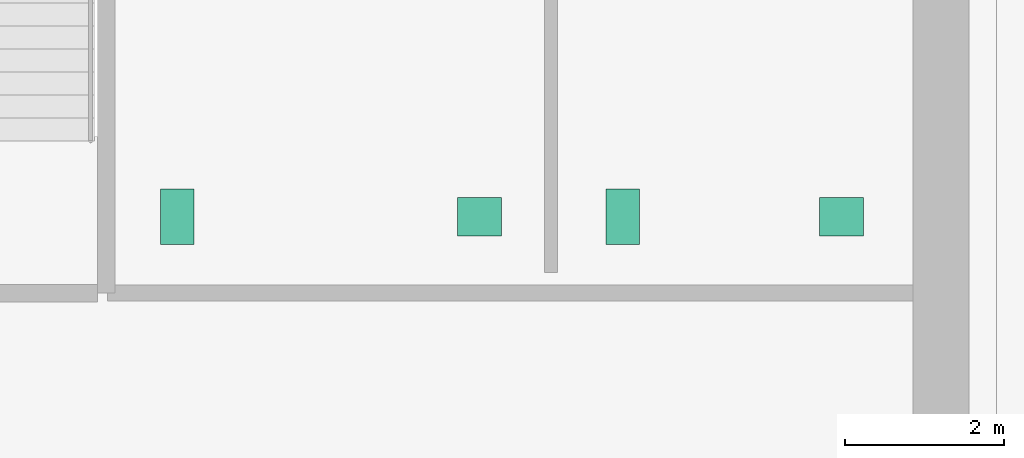
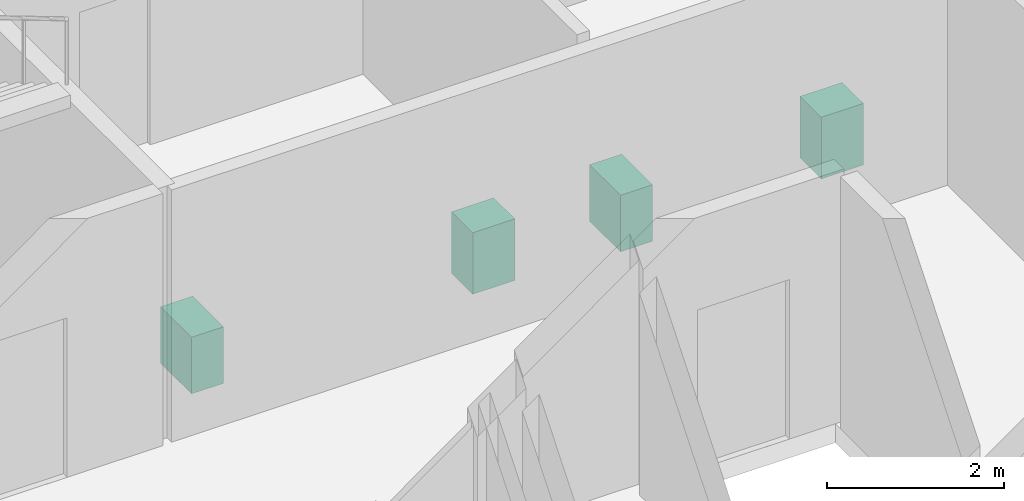
# One storey, part 13 of 13: 4 sanitary terminals.
"""IFC4 building model written with IfcOpenShell, lengths in metres."""

import ifcopenshell
import ifcopenshell.guid

model = None  # the IFC model being written
_history = None  # IfcOwnerHistory: only IFC2X3 demands one
_inside = {}  # id of a spatial element -> (the spatial element, [elements in it])
_under = {}  # id of a project, library or spatial element -> (it, [spatial elements below it])
_declared = {}  # id of a project -> (the project, [libraries it declares])
_typed = {}  # id of a type object -> (the type object, [elements of that type])
_made_of = {}  # id of a material, layer set ... -> (it, [elements and type objects made of it])


def new_model(schema):
    """Start an empty IFC model of exactly this schema.

    Asked for "IFC4X3", IfcOpenShell would pick the latest addendum, in which some entities
    have other attributes; the version numbers below select the first issue.
    IFC2X3 requires an IfcOwnerHistory on every rooted entity: one is made here for all.
    """
    global model, _history
    if schema == "IFC4X3":
        model = ifcopenshell.file(schema_version=(4, 3, 0, 0))
    else:
        model = ifcopenshell.file(schema=schema)
    _inside.clear()
    _under.clear()
    _declared.clear()
    _typed.clear()
    _made_of.clear()
    _history = None
    if model.schema == "IFC2X3":
        org = make("IfcOrganization", Name="unknown")
        user = make(
            "IfcPersonAndOrganization",
            ThePerson=make("IfcPerson", FamilyName="unknown"),
            TheOrganization=org,
        )
        app = make(
            "IfcApplication",
            ApplicationDeveloper=org,
            Version="unknown",
            ApplicationFullName="unknown",
            ApplicationIdentifier="unknown",
        )
        _history = make(
            "IfcOwnerHistory",
            OwningUser=user,
            OwningApplication=app,
            ChangeAction="ADDED",
            CreationDate=0,
        )
    return model


def make(cls, **values):
    """One entity of the class cls with the attributes given. An attribute that is None is left unset."""
    return model.create_entity(
        cls, **{name: value for name, value in values.items() if value is not None}
    )


def rooted(cls, **values):
    """An entity with a GlobalId (a new one), such as an element, a storey or a relation."""
    return make(cls, GlobalId=ifcopenshell.guid.new(), OwnerHistory=_history, **values)


def si_unit(unit_type, name, prefix=None):
    """IfcSIUnit, for example si_unit("LENGTHUNIT", "METRE", prefix="MILLI")."""
    return make("IfcSIUnit", UnitType=unit_type, Prefix=prefix, Name=name)


def assignment(units):
    """IfcUnitAssignment: the units of a project."""
    return None if units is None else make("IfcUnitAssignment", Units=units)


def point(xyz):
    """IfcCartesianPoint."""
    return None if xyz is None else make("IfcCartesianPoint", Coordinates=xyz)


def direction(xyz):
    """IfcDirection."""
    return None if xyz is None else make("IfcDirection", DirectionRatios=xyz)


def frame(location, z_axis=None, x_axis=None):
    """IfcAxis2Placement3D, a coordinate frame: its origin and axes. An axis left out is left unset."""
    return make(
        "IfcAxis2Placement3D",
        Location=point(location),
        Axis=direction(z_axis),
        RefDirection=direction(x_axis),
    )


def frame_2d(location, x_axis=None):
    """IfcAxis2Placement2D, a coordinate frame in the plane: its origin and x axis."""
    return make(
        "IfcAxis2Placement2D", Location=point(location), RefDirection=direction(x_axis)
    )


def origin():
    """The frame at (0, 0, 0) with its axes left unset."""
    return frame((0.0, 0.0, 0.0))


def origin_2d():
    """The frame at (0, 0) in the plane with its x axis left unset."""
    return frame_2d((0.0, 0.0))


def place(relative_to, where):
    """IfcLocalPlacement: puts the frame where relative to a parent placement (None: the world)."""
    return make(
        "IfcLocalPlacement", PlacementRelTo=relative_to, RelativePlacement=where
    )


def context(
    kind, dimensions, precision=None, world=None, true_north=None, identifier=None
):
    """IfcGeometricRepresentationContext, for example the 3D "Model" context."""
    return make(
        "IfcGeometricRepresentationContext",
        ContextIdentifier=identifier,
        ContextType=kind,
        CoordinateSpaceDimension=dimensions,
        Precision=precision,
        WorldCoordinateSystem=world,
        TrueNorth=true_north,
    )


def subcontext(parent, identifier, kind, view, scale=None):
    """IfcGeometricRepresentationSubContext, for example "Body" below "Model"."""
    return make(
        "IfcGeometricRepresentationSubContext",
        ContextIdentifier=identifier,
        ContextType=kind,
        ParentContext=parent,
        TargetScale=scale,
        TargetView=view,
    )


def project(units=None, contexts=None):
    """IfcProject with its units and contexts."""
    return rooted(
        "IfcProject",
        Name="project",
        RepresentationContexts=contexts,
        UnitsInContext=assignment(units),
    )


def spatial(cls, under=None, at=None, **own):
    """A site, building, storey or space (cls), placed at a placement, below another one or the project."""
    s = rooted(cls, ObjectPlacement=at, **own)
    if under is not None:
        _under.setdefault(under.id(), (under, []))[1].append(s)
    return s


def profile(cls, at=None, kind="AREA", **sizes):
    """A parametric profile (cls). Its sizes go by their IFC names, for example OverallWidth=200.0."""
    return make(cls, ProfileType=kind, Position=at, **sizes)


def rectangle(**sizes):
    """IfcRectangleProfileDef."""
    return profile("IfcRectangleProfileDef", **sizes)


def extrude(swept, where, along, depth):
    """IfcExtrudedAreaSolid: the profile swept, set in the frame where, extruded along a direction by depth."""
    return make(
        "IfcExtrudedAreaSolid",
        SweptArea=swept,
        Position=where,
        ExtrudedDirection=direction(along),
        Depth=depth,
    )


def shape(context_of_items, identifier, shape_type, items):
    """IfcShapeRepresentation: the items that make up one representation, for example the "Body"."""
    return make(
        "IfcShapeRepresentation",
        ContextOfItems=context_of_items,
        RepresentationIdentifier=identifier,
        RepresentationType=shape_type,
        Items=items,
    )


def material(Name=None, Category=None):
    """IfcMaterial."""
    return make("IfcMaterial", Name=Name, Category=Category)


def made_of(thing, what):
    """Note that an element or type object is made of a material, layer set ...; save() writes the relation."""
    if what is not None:
        _made_of.setdefault(what.id(), (what, []))[1].append(thing)
    return thing


def type_object(cls, material=None, **own):
    """A type object (cls), such as IfcWallType, which elements share."""
    return made_of(rooted(cls, **own), material)


def element(
    cls,
    number,
    at=None,
    inside=None,
    cuts=None,
    type_object=None,
    material=None,
    context=None,
    identifier="Body",
    shape_type=None,
    held_by="IfcProductDefinitionShape",
    body=None,
    shapes=None,
    **own,
):
    """One element of the class cls, such as IfcWall. Its Tag is "e" and its number.

    at: its placement. inside: the storey or other place that contains it. cuts: it is an
    opening in that element (IfcRelVoidsElement). A single representation is given by context,
    identifier, shape_type and body (its items); several are given by shapes. held_by: the class
    of the entity that holds the representations. save() writes the other relations.
    """
    e = rooted(cls, Tag="e%d" % number, ObjectPlacement=at, **own)
    if body is not None:
        shapes = [shape(context, identifier, shape_type, body)]
    if shapes is not None:
        e.Representation = make(held_by, Representations=shapes)
    if inside is not None:
        _inside.setdefault(inside.id(), (inside, []))[1].append(e)
    if cuts is not None:
        rooted(
            "IfcRelVoidsElement", RelatingBuildingElement=cuts, RelatedOpeningElement=e
        )
    if type_object is not None:
        _typed.setdefault(type_object.id(), (type_object, []))[1].append(e)
    return made_of(e, material)


def aggregate(whole, parts):
    """IfcRelAggregates: a whole, such as a stair, and the parts it consists of."""
    return rooted("IfcRelAggregates", RelatingObject=whole, RelatedObjects=parts)


def save(model, path):
    """Write the relations noted so far, then the file.

    IfcRelAggregates (storeys below a building ...), IfcRelContainedInSpatialStructure (elements
    in a storey), IfcRelDefinesByType, IfcRelAssociatesMaterial and IfcRelDeclares: one each for
    every whole, place, type object, material and project.
    """
    for whole, parts in _under.values():
        aggregate(whole, parts)
    for where, things in _inside.values():
        rooted(
            "IfcRelContainedInSpatialStructure",
            RelatedElements=things,
            RelatingStructure=where,
        )
    for kind, things in _typed.values():
        rooted("IfcRelDefinesByType", RelatedObjects=things, RelatingType=kind)
    for what, things in _made_of.values():
        rooted("IfcRelAssociatesMaterial", RelatedObjects=things, RelatingMaterial=what)
    for by, libraries in _declared.values():
        rooted("IfcRelDeclares", RelatingContext=by, RelatedDefinitions=libraries)
    model.write(path)


model = new_model("IFC4")

# Units and contexts
model_context = context("Model", 3, precision=1e-05, world=origin(), true_north=direction((0.0, 1.0)))
body_context = subcontext(model_context, "Body", "Model", "MODEL_VIEW")
ifc_project = project(units=[si_unit("LENGTHUNIT", "METRE"), si_unit("AREAUNIT", "SQUARE_METRE"), si_unit("VOLUMEUNIT", "CUBIC_METRE"), si_unit("PLANEANGLEUNIT", "RADIAN"), si_unit("MASSUNIT", "GRAM", prefix="KILO")], contexts=[model_context])

# Site, building, storey
site_placement = place(None, origin())
site = spatial("IfcSite", under=ifc_project, at=site_placement, CompositionType="ELEMENT")
building_placement = place(site_placement, origin())
building = spatial("IfcBuilding", under=site, at=building_placement, Name="Norrvale University Quadrangle", CompositionType="ELEMENT")
storey_placement = place(building_placement, frame((0.0, 0.0, 190.199951171875)))
storey = spatial("IfcBuildingStorey", under=building, at=storey_placement, Name="L48", CompositionType="ELEMENT", Elevation=190.199951171875)

# Sanitary terminals
ifc_material = material(Name="Vitreous China Sanitaryware")
sanitary_terminal_type_1 = type_object("IfcSanitaryTerminalType", Name="Sanitary Wash Basin", PredefinedType="WASHHANDBASIN", material=ifc_material)
for number, where, z_axis, x_axis, name in (
    (1, (11.0, 41.10009765625, 0.0), (0.0, 0.0, 1.0), (1.0, 0.0, 0.0), "Accessible Countertop Washbasin L48-1"),
    (2, (15.550048828125, 41.10009765625, 0.0), (0.0, 0.0, 1.0), (1.0, 0.0, 0.0), "Accessible Countertop Washbasin L48-2"),
):
    element("IfcSanitaryTerminal", number, at=place(storey_placement, frame(where, z_axis=z_axis, x_axis=x_axis)), inside=storey, type_object=sanitary_terminal_type_1, Name=name, PredefinedType="WASHHANDBASIN", context=body_context, shape_type="SweptSolid", body=[
        extrude(rectangle(XDim=0.550048828125, YDim=0.47998046875, at=origin_2d()), origin(), (0.0, 0.0, 1.0), 0.85009765625),
    ])
sanitary_terminal_type_2 = type_object("IfcSanitaryTerminalType", Name="Sanitary Water Closet", PredefinedType="TOILETPAN", material=ifc_material)
for number, where, z_axis, x_axis, name in (
    (3, (7.199951171875, 41.10009765625, 0.0), (0.0, 0.0, 1.0), (1.0, 0.0, 0.0), "Wall-Hung Water Closet L48-1"),
    (4, (12.800048828125, 41.10009765625, 0.0), (0.0, 0.0, 1.0), (1.0, 0.0, 0.0), "Wall-Hung Water Closet L48-2"),
):
    element("IfcSanitaryTerminal", number, at=place(storey_placement, frame(where, z_axis=z_axis, x_axis=x_axis)), inside=storey, type_object=sanitary_terminal_type_2, Name=name, PredefinedType="TOILETPAN", context=body_context, shape_type="SweptSolid", body=[
        extrude(rectangle(XDim=0.419921875, YDim=0.699951171875, at=origin_2d()), origin(), (0.0, 0.0, 1.0), 0.780029296875),
    ])

save(model, "model.ifc")
